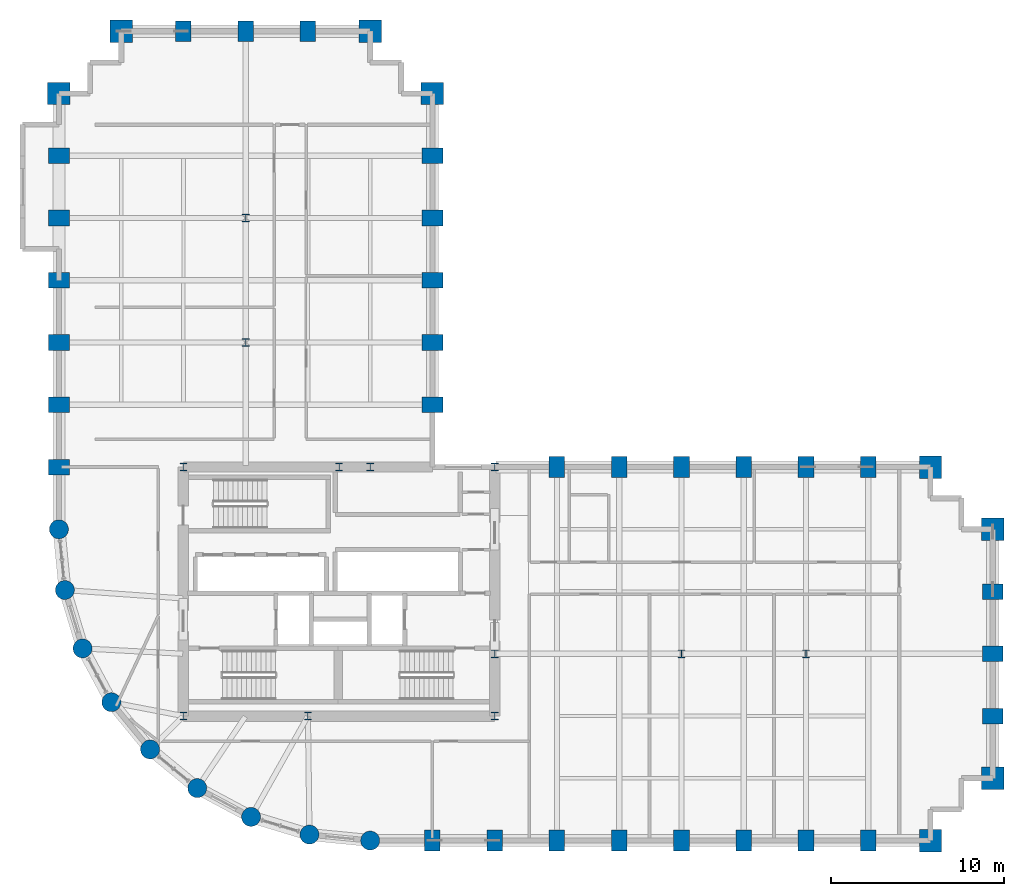
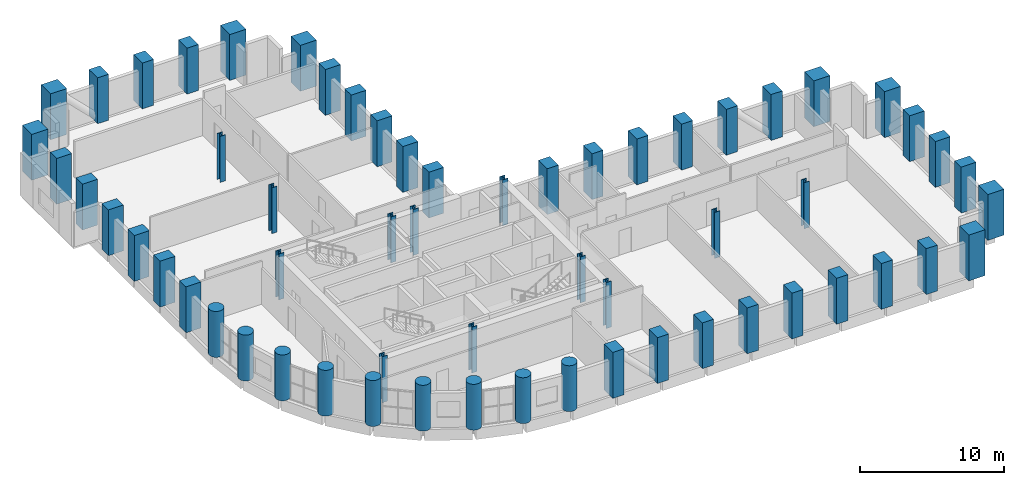
# One storey, part 1 of 13: 60 columns.
"""IFC4 building model written with IfcOpenShell, lengths in metres."""

from ifc_helpers import new_model, si_unit, direction, frame, origin, origin_2d, place, context, subcontext, project, spatial, rectangle, circle, i_section, extrude, material, material_profile, profile_set, type_object, element, save


model = new_model("IFC4")

# Units and contexts
model_context = context("Model", 3, precision=1e-05, world=origin(), true_north=direction((0.0, 1.0)))
body_context = subcontext(model_context, "Body", "Model", "MODEL_VIEW")
ifc_project = project(units=[si_unit("LENGTHUNIT", "METRE"), si_unit("AREAUNIT", "SQUARE_METRE"), si_unit("VOLUMEUNIT", "CUBIC_METRE"), si_unit("PLANEANGLEUNIT", "RADIAN"), si_unit("MASSUNIT", "GRAM", prefix="KILO")], contexts=[model_context])

# Site, building, storey
site_placement = place(None, origin())
site = spatial("IfcSite", under=ifc_project, at=site_placement, CompositionType="ELEMENT")
building_placement = place(site_placement, origin())
building = spatial("IfcBuilding", under=site, at=building_placement, Name="Solnavia Interchange Tower", CompositionType="ELEMENT")
storey_placement = place(building_placement, frame((0.0, 0.0, 51.300048828125)))
storey = spatial("IfcBuildingStorey", under=building, at=storey_placement, Name="L12", CompositionType="ELEMENT", Elevation=51.300048828125)

# Columns
ifc_material_1 = material(Name="Concrete C60/75", Category="concrete")
ifc_material_profile_1 = material_profile(ifc_material_1, rectangle(XDim=0.89990234375, YDim=1.199951171875, at=origin_2d()), Name="RC 1200x900")
ifc_profile_set_1 = profile_set([ifc_material_profile_1], Name="Concrete C60/75")
column_type_1 = type_object("IfcColumnType", Name="Col-RC-1200x900", PredefinedType="COLUMN", material=ifc_profile_set_1)
for number, where, z_axis, x_axis, name in (
    (1, (7.199951171875, 25.199951171875, 0.0), (0.0, 0.0, 1.0), (0.0, 1.0, 0.0), "COL-L12-02 Tower perim y column"),
    (2, (7.199951171875, 28.800048828125, 0.0), (0.0, 0.0, 1.0), (0.0, 1.0, 0.0), "COL-L12-03 Tower perim y column"),
    (3, (7.199951171875, 32.39990234375, 0.0), (0.0, 0.0, 1.0), (0.0, 1.0, 0.0), "COL-L12-04 Tower perim y column"),
    (4, (7.199951171875, 36.0, 0.0), (0.0, 0.0, 1.0), (0.0, 1.0, 0.0), "COL-L12-05 Tower perim y column"),
    (5, (7.199951171875, 39.60009765625, 0.0), (0.0, 0.0, 1.0), (0.0, 1.0, 0.0), "COL-L12-06 Tower perim y column"),
    (6, (7.199951171875, 43.199951171875, 0.0), (0.0, 0.0, 1.0), (0.0, 1.0, 0.0), "COL-L12-07 Tower perim y column"),
    (7, (14.39990234375, 50.39990234375, 0.0), (0.0, 0.0, 1.0), (1.0, 0.0, 0.0), "COL-L12-16 Tower perim x column"),
    (8, (18.0, 50.39990234375, 0.0), (0.0, 0.0, 1.0), (1.0, 0.0, 0.0), "COL-L12-20 Tower perim x column"),
    (9, (21.60009765625, 50.39990234375, 0.0), (0.0, 0.0, 1.0), (1.0, 0.0, 0.0), "COL-L12-23 Tower perim x column"),
    (10, (28.800048828125, 3.60009765625, 0.0), (0.0, 0.0, 1.0), (1.0, 0.0, 0.0), "COL-L12-29 Tower perim x column"),
    (11, (28.800048828125, 28.800048828125, 0.0), (0.0, 0.0, 1.0), (0.0, 1.0, 0.0), "COL-L12-30 Tower perim y column"),
    (12, (28.800048828125, 32.39990234375, 0.0), (0.0, 0.0, 1.0), (0.0, 1.0, 0.0), "COL-L12-31 Tower perim y column"),
    (13, (28.800048828125, 36.0, 0.0), (0.0, 0.0, 1.0), (0.0, 1.0, 0.0), "COL-L12-32 Tower perim y column"),
    (14, (28.800048828125, 39.60009765625, 0.0), (0.0, 0.0, 1.0), (0.0, 1.0, 0.0), "COL-L12-33 Tower perim y column"),
    (15, (28.800048828125, 43.199951171875, 0.0), (0.0, 0.0, 1.0), (0.0, 1.0, 0.0), "COL-L12-34 Tower perim y column"),
    (16, (32.39990234375, 3.60009765625, 0.0), (0.0, 0.0, 1.0), (1.0, 0.0, 0.0), "COL-L12-36 Tower perim x column"),
    (17, (36.0, 3.60009765625, 0.0), (0.0, 0.0, 1.0), (1.0, 0.0, 0.0), "COL-L12-40 Tower perim x column"),
    (18, (36.0, 25.199951171875, 0.0), (0.0, 0.0, 1.0), (1.0, 0.0, 0.0), "COL-L12-41 Tower perim x column"),
    (19, (39.60009765625, 3.60009765625, 0.0), (0.0, 0.0, 1.0), (1.0, 0.0, 0.0), "COL-L12-42 Tower perim x column"),
    (20, (39.60009765625, 25.199951171875, 0.0), (0.0, 0.0, 1.0), (1.0, 0.0, 0.0), "COL-L12-43 Tower perim x column"),
    (21, (43.199951171875, 3.60009765625, 0.0), (0.0, 0.0, 1.0), (1.0, 0.0, 0.0), "COL-L12-44 Tower perim x column"),
    (22, (43.199951171875, 25.199951171875, 0.0), (0.0, 0.0, 1.0), (1.0, 0.0, 0.0), "COL-L12-46 Tower perim x column"),
    (23, (46.800048828125, 3.60009765625, 0.0), (0.0, 0.0, 1.0), (1.0, 0.0, 0.0), "COL-L12-47 Tower perim x column"),
    (24, (46.800048828125, 25.199951171875, 0.0), (0.0, 0.0, 1.0), (1.0, 0.0, 0.0), "COL-L12-48 Tower perim x column"),
    (25, (50.39990234375, 3.60009765625, 0.0), (0.0, 0.0, 1.0), (1.0, 0.0, 0.0), "COL-L12-49 Tower perim x column"),
    (26, (50.39990234375, 25.199951171875, 0.0), (0.0, 0.0, 1.0), (1.0, 0.0, 0.0), "COL-L12-51 Tower perim x column"),
    (27, (54.0, 3.60009765625, 0.0), (0.0, 0.0, 1.0), (1.0, 0.0, 0.0), "COL-L12-52 Tower perim x column"),
    (28, (54.0, 25.199951171875, 0.0), (0.0, 0.0, 1.0), (1.0, 0.0, 0.0), "COL-L12-53 Tower perim x column"),
    (29, (61.199951171875, 10.800048828125, 0.0), (0.0, 0.0, 1.0), (0.0, 1.0, 0.0), "COL-L12-57 Tower perim y column"),
    (30, (61.199951171875, 14.39990234375, 0.0), (0.0, 0.0, 1.0), (0.0, 1.0, 0.0), "COL-L12-58 Tower perim y column"),
    (31, (61.199951171875, 18.0, 0.0), (0.0, 0.0, 1.0), (0.0, 1.0, 0.0), "COL-L12-59 Tower perim y column"),
):
    element("IfcColumn", number, at=place(storey_placement, frame(where, z_axis=z_axis, x_axis=x_axis)), inside=storey, type_object=column_type_1, Name=name, PredefinedType="COLUMN", context=body_context, shape_type="SweptSolid", body=[
        extrude(rectangle(XDim=0.89990234375, YDim=1.199951171875, at=origin_2d()), origin(), (0.0, 0.0, 1.0), 3.89990234375),
    ])
ifc_material_profile_2 = material_profile(ifc_material_1, rectangle(XDim=1.300048828125, YDim=1.300048828125, at=origin_2d()), Name="RC 1300x1300")
ifc_profile_set_2 = profile_set([ifc_material_profile_2], Name="Concrete C60/75")
column_type_2 = type_object("IfcColumnType", Name="Col-RC-1300x1300", PredefinedType="COLUMN", material=ifc_profile_set_2)
for number, where, z_axis, x_axis, name in (
    (32, (7.199951171875, 46.800048828125, 0.0), (0.0, 0.0, 1.0), (0.0, 1.0, 0.0), "COL-L12-08 Tower corner column"),
    (33, (10.800048828125, 50.39990234375, 0.0), (0.0, 0.0, 1.0), (1.0, 0.0, 0.0), "COL-L12-12 Tower corner column"),
    (34, (25.199951171875, 50.39990234375, 0.0), (0.0, 0.0, 1.0), (1.0, 0.0, 0.0), "COL-L12-28 Tower corner column"),
    (35, (28.800048828125, 46.800048828125, 0.0), (0.0, 0.0, 1.0), (0.0, 1.0, 0.0), "COL-L12-35 Tower corner column"),
    (36, (57.60009765625, 3.60009765625, 0.0), (0.0, 0.0, 1.0), (1.0, 0.0, 0.0), "COL-L12-54 Tower corner column"),
    (37, (57.60009765625, 25.199951171875, 0.0), (0.0, 0.0, 1.0), (1.0, 0.0, 0.0), "COL-L12-55 Tower corner column"),
    (38, (61.199951171875, 7.199951171875, 0.0), (0.0, 0.0, 1.0), (1.0, 0.0, 0.0), "COL-L12-56 Tower corner column"),
    (39, (61.199951171875, 21.60009765625, 0.0), (0.0, 0.0, 1.0), (0.0, 1.0, 0.0), "COL-L12-60 Tower corner column"),
):
    element("IfcColumn", number, at=place(storey_placement, frame(where, z_axis=z_axis, x_axis=x_axis)), inside=storey, type_object=column_type_2, Name=name, PredefinedType="COLUMN", context=body_context, shape_type="SweptSolid", body=[
        extrude(rectangle(XDim=1.300048828125, YDim=1.300048828125, at=origin_2d()), origin(), (0.0, 0.0, 1.0), 3.89990234375),
    ])
ifc_material_profile_3 = material_profile(ifc_material_1, circle(Radius=0.550048828125, at=origin_2d()), Name="RC D1100")
ifc_profile_set_3 = profile_set([ifc_material_profile_3], Name="Concrete C60/75")
column_type_3 = type_object("IfcColumnType", Name="Col-RC-D1100", PredefinedType="COLUMN", material=ifc_profile_set_3)
for number, where, z_axis, x_axis, name in (
    (40, (7.199951171875, 21.60009765625, 0.0), (0.0, 0.0, 1.0), (1.0, 0.0, 0.0), "COL-L12-01 Tower drum column"),
    (41, (7.5458984375, 18.087890625, 0.0), (0.0, 0.0, 1.0), (1.0, 0.0, 0.0), "COL-L12-09 Tower drum column"),
    (42, (8.570068359375, 14.7119140625, 0.0), (0.0, 0.0, 1.0), (1.0, 0.0, 0.0), "COL-L12-10 Tower drum column"),
    (43, (10.23388671875, 11.60009765625, 0.0), (0.0, 0.0, 1.0), (1.0, 0.0, 0.0), "COL-L12-11 Tower drum column"),
    (44, (12.471923828125, 8.8720703125, 0.0), (0.0, 0.0, 1.0), (1.0, 0.0, 0.0), "COL-L12-13 Tower drum column"),
    (45, (15.199951171875, 6.634033203125, 0.0), (0.0, 0.0, 1.0), (1.0, 0.0, 0.0), "COL-L12-17 Tower drum column"),
    (46, (18.31201171875, 4.969970703125, 0.0), (0.0, 0.0, 1.0), (1.0, 0.0, 0.0), "COL-L12-21 Tower drum column"),
    (47, (21.68798828125, 3.946044921875, 0.0), (0.0, 0.0, 1.0), (1.0, 0.0, 0.0), "COL-L12-24 Tower drum column"),
    (48, (25.199951171875, 3.60009765625, 0.0), (0.0, 0.0, 1.0), (1.0, 0.0, 0.0), "COL-L12-26 Tower drum column"),
):
    element("IfcColumn", number, at=place(storey_placement, frame(where, z_axis=z_axis, x_axis=x_axis)), inside=storey, type_object=column_type_3, Name=name, PredefinedType="COLUMN", context=body_context, shape_type="SweptSolid", body=[
        extrude(circle(Radius=0.550048828125, at=origin_2d()), origin(), (0.0, 0.0, 1.0), 3.89990234375),
    ])
ifc_material_2 = material(Name="Steel S355", Category="steel")
ifc_material_profile_4 = material_profile(ifc_material_2, i_section(OverallWidth=0.424072265625, OverallDepth=0.467041015625, WebThickness=0.032958984375, FlangeThickness=0.053466796875, FilletRadius=0.014892578125, at=origin_2d()), Name="HD 400x509")
ifc_profile_set_4 = profile_set([ifc_material_profile_4], Name="Steel S355")
column_type_4 = type_object("IfcColumnType", Name="Col-Steel-HD400x509", PredefinedType="COLUMN", material=ifc_profile_set_4)
for number, where, z_axis, x_axis, name in (
    (49, (14.39990234375, 10.800048828125, 0.0), (0.0, 0.0, 1.0), (1.0, 0.0, 0.0), "COL-L12-14 Tower interior column"),
    (50, (14.39990234375, 25.199951171875, 0.0), (0.0, 0.0, 1.0), (1.0, 0.0, 0.0), "COL-L12-15 Tower interior column"),
    (51, (18.0, 32.39990234375, 0.0), (0.0, 0.0, 1.0), (1.0, 0.0, 0.0), "COL-L12-18 Tower interior column"),
    (52, (18.0, 39.60009765625, 0.0), (0.0, 0.0, 1.0), (1.0, 0.0, 0.0), "COL-L12-19 Tower interior column"),
    (53, (21.60009765625, 10.800048828125, 0.0), (0.0, 0.0, 1.0), (1.0, 0.0, 0.0), "COL-L12-22 Tower interior column"),
    (54, (23.39990234375, 25.199951171875, 0.0), (0.0, 0.0, 1.0), (1.0, 0.0, 0.0), "COL-L12-25 Tower interior column"),
    (55, (25.199951171875, 25.199951171875, 0.0), (0.0, 0.0, 1.0), (1.0, 0.0, 0.0), "COL-L12-27 Tower interior column"),
    (56, (32.39990234375, 10.800048828125, 0.0), (0.0, 0.0, 1.0), (1.0, 0.0, 0.0), "COL-L12-37 Tower interior column"),
    (57, (32.39990234375, 14.39990234375, 0.0), (0.0, 0.0, 1.0), (1.0, 0.0, 0.0), "COL-L12-38 Tower interior column"),
    (58, (32.39990234375, 25.199951171875, 0.0), (0.0, 0.0, 1.0), (1.0, 0.0, 0.0), "COL-L12-39 Tower interior column"),
    (59, (43.199951171875, 14.39990234375, 0.0), (0.0, 0.0, 1.0), (1.0, 0.0, 0.0), "COL-L12-45 Tower interior column"),
    (60, (50.39990234375, 14.39990234375, 0.0), (0.0, 0.0, 1.0), (1.0, 0.0, 0.0), "COL-L12-50 Tower interior column"),
):
    element("IfcColumn", number, at=place(storey_placement, frame(where, z_axis=z_axis, x_axis=x_axis)), inside=storey, type_object=column_type_4, Name=name, PredefinedType="COLUMN", context=body_context, shape_type="SweptSolid", body=[
        extrude(i_section(OverallWidth=0.424072265625, OverallDepth=0.467041015625, WebThickness=0.032958984375, FlangeThickness=0.053466796875, FilletRadius=0.014892578125, at=origin_2d()), origin(), (0.0, 0.0, 1.0), 3.89990234375),
    ])

save(model, "model.ifc")
